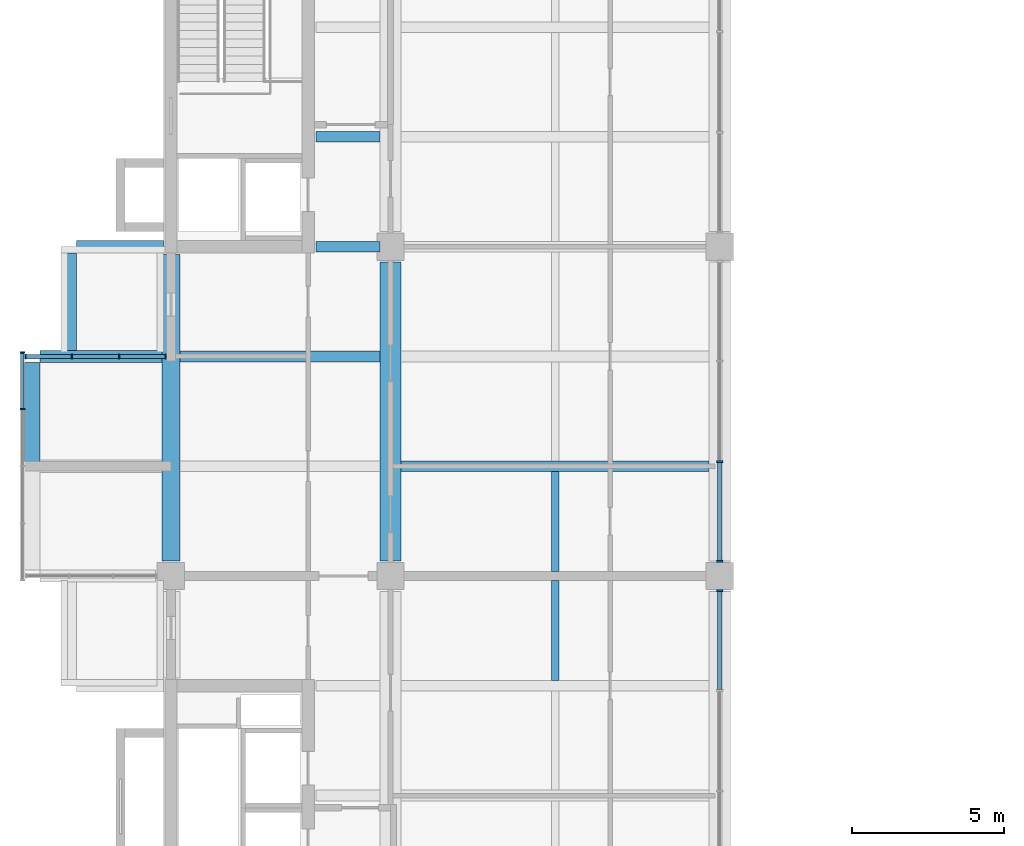
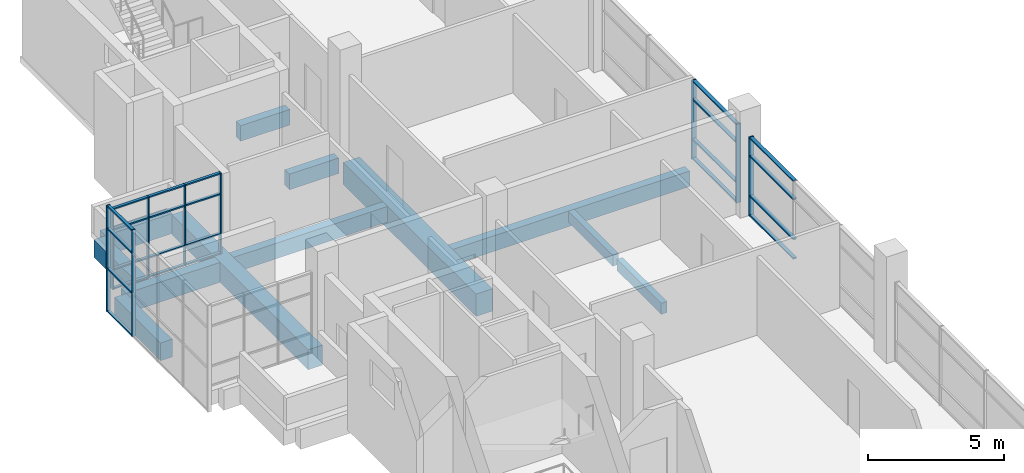
# One storey, part 12 of 32: 33 members, 12 beams, 4 elements without a shape of their own.
"""IFC4 building model written with IfcOpenShell, lengths in metres."""

from ifc_helpers import new_model, si_unit, direction, frame, origin, origin_2d, place, context, subcontext, project, spatial, rectangle, extrude, material, layer, layer_set, material_profile, profile_set, type_object, element, aggregate, save


model = new_model("IFC4")

# Units and contexts
model_context = context("Model", 3, precision=1e-05, world=origin(), true_north=direction((0.0, 1.0)))
body_context = subcontext(model_context, "Body", "Model", "MODEL_VIEW")
ifc_project = project(units=[si_unit("LENGTHUNIT", "METRE"), si_unit("AREAUNIT", "SQUARE_METRE"), si_unit("VOLUMEUNIT", "CUBIC_METRE"), si_unit("PLANEANGLEUNIT", "RADIAN"), si_unit("MASSUNIT", "GRAM", prefix="KILO")], contexts=[model_context])

# Site, building, storey
site_placement = place(None, origin())
site = spatial("IfcSite", under=ifc_project, at=site_placement, CompositionType="ELEMENT")
building_placement = place(site_placement, origin())
building = spatial("IfcBuilding", under=site, at=building_placement, Name="Basin Gate Institute", CompositionType="ELEMENT")
storey_placement = place(building_placement, frame((0.0, 0.0, 41.39990234375)))
storey = spatial("IfcBuildingStorey", under=building, at=storey_placement, Name="L08", CompositionType="ELEMENT", Elevation=41.39990234375)

# Beams
ifc_material_1 = material(Name="Concrete 40 MPa", Category="concrete")
ifc_material_profile_1 = material_profile(ifc_material_1, rectangle(XDim=0.35009765625, YDim=0.699951171875, at=origin_2d()), Name="Beam B1 350 x 700")
ifc_profile_set_1 = profile_set([ifc_material_profile_1], Name="Concrete 40 MPa")
beam_type_1 = type_object("IfcBeamType", Name="Beam B1 R120", PredefinedType="BEAM", material=ifc_profile_set_1)
beam_1_placement = place(storey_placement, frame((68.75, 81.89990234375, -0.599853515625), z_axis=(1.0, 0.0, 0.0), x_axis=(0.0, 1.0, 0.0)))
element("IfcBeam", 1, at=beam_1_placement, inside=storey, type_object=beam_type_1, material=ifc_profile_set_1, Name="BEAM/L08/W/EW/14", PredefinedType="BEAM", context=body_context, shape_type="SweptSolid", body=[
    extrude(rectangle(XDim=0.35009765625, YDim=0.699951171875, at=origin_2d()), origin(), (0.0, 0.0, 1.0), 10.10009765625),
])
beam_2_placement = place(storey_placement, frame((61.5, 85.5, -0.599853515625), z_axis=(1.0, 0.0, 0.0), x_axis=(0.0, 1.0, 0.0)))
element("IfcBeam", 2, at=beam_2_placement, inside=storey, type_object=beam_type_1, material=ifc_profile_set_1, Name="BEAM/L08/W/OUT/15", PredefinedType="BEAM", context=body_context, shape_type="SweptSolid", body=[
    extrude(rectangle(XDim=0.35009765625, YDim=0.699951171875, at=origin_2d()), origin(), (0.0, 0.0, 1.0), 6.550048828125),
])
for number, where, z_axis, x_axis, name in (
    (3, (65.949951171875, 89.10009765625, -0.599853515625), (1.0, 0.0, 0.0), (0.0, 1.0, 0.0), "BEAM/L08/W/CORR/16"),
    (4, (65.949951171875, 92.699951171875, -0.599853515625), (1.0, 0.0, 0.0), (0.0, 1.0, 0.0), "BEAM/L08/W/CORR/17"),
):
    element("IfcBeam", number, at=place(storey_placement, frame(where, z_axis=z_axis, x_axis=x_axis)), inside=storey, type_object=beam_type_1, material=ifc_profile_set_1, Name=name, PredefinedType="BEAM", context=body_context, shape_type="SweptSolid", body=[
        extrude(rectangle(XDim=0.35009765625, YDim=0.699951171875, at=origin_2d()), origin(), (0.0, 0.0, 1.0), 2.10009765625),
    ])
ifc_material_2 = material(Name="Concrete 50 MPa", Category="concrete")
ifc_material_profile_2 = material_profile(ifc_material_2, rectangle(XDim=0.39990234375, YDim=0.89990234375, at=origin_2d()), Name="Cantilever beam B3 400 x 900")
ifc_profile_set_2 = profile_set([ifc_material_profile_2], Name="Concrete 50 MPa")
beam_type_2 = type_object("IfcBeamType", Name="Cantilever beam B3 R120", PredefinedType="BEAM", material=ifc_profile_set_2)
beam_3_placement = place(storey_placement, frame((56.89990234375, 85.5, -0.699951171875), z_axis=(1.0, 0.0, 0.0), x_axis=(0.0, 1.0, 0.0)))
element("IfcBeam", 5, at=beam_3_placement, inside=storey, type_object=beam_type_2, material=ifc_profile_set_2, Name="BEAM/L08/W/CANT/15", PredefinedType="BEAM", context=body_context, shape_type="SweptSolid", body=[
    extrude(rectangle(XDim=0.39990234375, YDim=0.89990234375, at=origin_2d()), origin(), (0.0, 0.0, 1.0), 4.0),
])
beam_4_placement = place(storey_placement, frame((58.10009765625, 89.10009765625, -0.699951171875), z_axis=(1.0, 0.0, 0.0), x_axis=(0.0, 1.0, 0.0)))
element("IfcBeam", 6, at=beam_4_placement, inside=storey, type_object=beam_type_2, material=ifc_profile_set_2, Name="BEAM/L08/W/CANT/16", PredefinedType="BEAM", context=body_context, shape_type="SweptSolid", body=[
    extrude(rectangle(XDim=0.39990234375, YDim=0.89990234375, at=origin_2d()), origin(), (0.0, 0.0, 1.0), 2.849853515625),
])
ifc_material_3 = material(Name="Concrete 50 MPa", Category="concrete")
ifc_material_profile_3 = material_profile(ifc_material_3, rectangle(XDim=0.60009765625, YDim=0.89990234375, at=origin_2d()), Name="Edge beam EB1 600 x 900")
ifc_profile_set_3 = profile_set([ifc_material_profile_3], Name="Concrete 50 MPa")
beam_type_3 = type_object("IfcBeamType", Name="Edge beam EB1 R120", PredefinedType="SPANDREL", material=ifc_profile_set_3)
beam_5_placement = place(storey_placement, frame((61.199951171875, 78.800048828125, -0.699951171875), z_axis=(0.0, 1.0, 0.0), x_axis=(-1.0, 0.0, 0.0)))
element("IfcBeam", 7, at=beam_5_placement, inside=storey, type_object=beam_type_3, material=ifc_profile_set_3, Name="BEAM/L08/W/EDGE/4", PredefinedType="SPANDREL", context=body_context, shape_type="SweptSolid", body=[
    extrude(rectangle(XDim=0.60009765625, YDim=0.89990234375, at=origin_2d()), origin(), (0.0, 0.0, 1.0), 10.050048828125),
])
ifc_material_4 = material(Name="Concrete 50 MPa", Category="concrete")
ifc_material_profile_4 = material_profile(ifc_material_4, rectangle(XDim=0.699951171875, YDim=1.0, at=origin_2d()), Name="Girder G1 700 x 1000")
ifc_profile_set_4 = profile_set([ifc_material_profile_4], Name="Concrete 50 MPa")
beam_type_4 = type_object("IfcBeamType", Name="Girder G1 R120", PredefinedType="BEAM", material=ifc_profile_set_4)
beam_6_placement = place(storey_placement, frame((68.39990234375, 78.800048828125, -0.75), z_axis=(0.0, 1.0, 0.0), x_axis=(-1.0, 0.0, 0.0)))
element("IfcBeam", 8, at=beam_6_placement, inside=storey, type_object=beam_type_4, material=ifc_profile_set_4, Name="GIR/L08/W5/5", PredefinedType="BEAM", context=body_context, shape_type="SweptSolid", body=[
    extrude(rectangle(XDim=0.699951171875, YDim=1.0, at=origin_2d()), origin(), (0.0, 0.0, 1.0), 9.800048828125),
])

# Curtain wall, members
ifc_material_5 = material(Name="Aluminium-framed glazing", Category="aluminium")
ifc_layer_1 = layer(ifc_material_5, 0.14990234375)
ifc_layer_set_1 = layer_set([ifc_layer_1], Name="Capsule front curtain wall CW1")
curtain_wall_type_1 = type_object("IfcCurtainWallType", Name="Capsule front curtain wall CW1", PredefinedType="NOTDEFINED", material=ifc_layer_set_1)
curtain_wall_1_placement = place(storey_placement, origin())
curtain_wall_1 = element("IfcCurtainWall", 9, at=curtain_wall_1_placement, inside=storey, type_object=curtain_wall_type_1, material=ifc_layer_set_1, Name="Capsule front curtain wall W wing capsule end L08 line 15", PredefinedType="NOTDEFINED")
ifc_material_6 = material(Name="Aluminium", Category="aluminium")
ifc_material_profile_5 = material_profile(ifc_material_6, rectangle(XDim=0.14990234375, YDim=0.050048828125, at=origin_2d()), Name="Mullion MU1 150 x 50")
ifc_profile_set_5 = profile_set([ifc_material_profile_5], Name="Aluminium")
member_type_1 = type_object("IfcMemberType", Name="Mullion MU1", PredefinedType="MULLION", material=ifc_profile_set_5)
member_1_placement = place(storey_placement, frame((56.425048828125, 85.5, 0.0), z_axis=(0.0, 0.0, 1.0), x_axis=(0.0, 1.0, 0.0)))
member_1 = element("IfcMember", 10, at=member_1_placement, type_object=member_type_1, material=ifc_profile_set_5, Name="CW1 mullion 1", PredefinedType="MULLION", context=body_context, shape_type="SweptSolid", body=[
    extrude(rectangle(XDim=0.14990234375, YDim=0.050048828125, at=origin_2d()), origin(), (0.0, 0.0, 1.0), 3.650146484375),
])
member_2_placement = place(storey_placement, frame((57.949951171875, 85.5, 0.0), z_axis=(0.0, 0.0, 1.0), x_axis=(0.0, 1.0, 0.0)))
member_2 = element("IfcMember", 11, at=member_2_placement, type_object=member_type_1, material=ifc_profile_set_5, Name="CW1 mullion 2", PredefinedType="MULLION", context=body_context, shape_type="SweptSolid", body=[
    extrude(rectangle(XDim=0.14990234375, YDim=0.050048828125, at=origin_2d()), origin(), (0.0, 0.0, 1.0), 3.650146484375),
])
member_3_placement = place(storey_placement, frame((59.5, 85.5, 0.0), z_axis=(0.0, 0.0, 1.0), x_axis=(0.0, 1.0, 0.0)))
member_3 = element("IfcMember", 12, at=member_3_placement, type_object=member_type_1, material=ifc_profile_set_5, Name="CW1 mullion 3", PredefinedType="MULLION", context=body_context, shape_type="SweptSolid", body=[
    extrude(rectangle(XDim=0.14990234375, YDim=0.050048828125, at=origin_2d()), origin(), (0.0, 0.0, 1.0), 3.650146484375),
])
member_4_placement = place(storey_placement, frame((61.02490234375, 85.5, 0.0), z_axis=(0.0, 0.0, 1.0), x_axis=(0.0, 1.0, 0.0)))
member_4 = element("IfcMember", 13, at=member_4_placement, type_object=member_type_1, material=ifc_profile_set_5, Name="CW1 mullion 4", PredefinedType="MULLION", context=body_context, shape_type="SweptSolid", body=[
    extrude(rectangle(XDim=0.14990234375, YDim=0.050048828125, at=origin_2d()), origin(), (0.0, 0.0, 1.0), 3.650146484375),
])

curtain_wall_2_placement = place(storey_placement, origin())
curtain_wall_2 = element("IfcCurtainWall", 14, at=curtain_wall_2_placement, inside=storey, type_object=curtain_wall_type_1, material=ifc_layer_set_1, Name="Capsule front curtain wall W wing capsule 2 L08 front 2", PredefinedType="NOTDEFINED")
member_5_placement = place(storey_placement, frame((56.324951171875, 83.77490234375, -1.0498046875), z_axis=(0.0, 0.0, 1.0), x_axis=(-1.0, 0.0, 0.0)))
member_5 = element("IfcMember", 15, at=member_5_placement, type_object=member_type_1, material=ifc_profile_set_5, Name="CW1 mullion 4", PredefinedType="MULLION", context=body_context, shape_type="SweptSolid", body=[
    extrude(rectangle(XDim=0.14990234375, YDim=0.050048828125, at=origin_2d()), origin(), (0.0, 0.0, 1.0), 4.7998046875),
])
member_6_placement = place(storey_placement, frame((56.324951171875, 85.625, -1.0498046875), z_axis=(0.0, 0.0, 1.0), x_axis=(-1.0, 0.0, 0.0)))
member_6 = element("IfcMember", 16, at=member_6_placement, type_object=member_type_1, material=ifc_profile_set_5, Name="CW1 mullion 5", PredefinedType="MULLION", context=body_context, shape_type="SweptSolid", body=[
    extrude(rectangle(XDim=0.14990234375, YDim=0.050048828125, at=origin_2d()), origin(), (0.0, 0.0, 1.0), 4.7998046875),
])

# Curtain wall, member
ifc_material_7 = material(Name="Aluminium-framed glazing", Category="aluminium")
ifc_layer_2 = layer(ifc_material_7, 0.199951171875)
ifc_layer_set_2 = layer_set([ifc_layer_2], Name="Atrium curtain wall CW2")
curtain_wall_type_2 = type_object("IfcCurtainWallType", Name="Atrium curtain wall CW2", PredefinedType="NOTDEFINED", material=ifc_layer_set_2)
curtain_wall_3_placement = place(storey_placement, origin())
curtain_wall_3 = element("IfcCurtainWall", 17, at=curtain_wall_3_placement, inside=storey, type_object=curtain_wall_type_2, material=ifc_layer_set_2, Name="Atrium curtain wall W wing atrium bay 4 L08", PredefinedType="NOTDEFINED")
ifc_material_8 = material(Name="Aluminium", Category="aluminium")
ifc_material_profile_6 = material_profile(ifc_material_8, rectangle(XDim=0.199951171875, YDim=0.06005859375, at=origin_2d()), Name="Mullion MU2 200 x 60")
ifc_profile_set_6 = profile_set([ifc_material_profile_6], Name="Aluminium")
member_type_2 = type_object("IfcMemberType", Name="Mullion MU2", PredefinedType="MULLION", material=ifc_profile_set_6)
member_7_placement = place(storey_placement, frame((79.199951171875, 77.820068359375, 0.0), z_axis=(0.0, 0.0, 1.0), x_axis=(-1.0, 0.0, 0.0)))
member_7 = element("IfcMember", 18, at=member_7_placement, type_object=member_type_2, material=ifc_profile_set_6, Name="CW2 mullion 4", PredefinedType="MULLION", context=body_context, shape_type="SweptSolid", body=[
    extrude(rectangle(XDim=0.199951171875, YDim=0.06005859375, at=origin_2d()), origin(), (0.0, 0.0, 1.0), 3.550048828125),
])

# Curtain wall, members
curtain_wall_4_placement = place(storey_placement, origin())
curtain_wall_4 = element("IfcCurtainWall", 19, at=curtain_wall_4_placement, inside=storey, type_object=curtain_wall_type_2, material=ifc_layer_set_2, Name="Atrium curtain wall W wing atrium bay 5 L08", PredefinedType="NOTDEFINED")
member_8_placement = place(storey_placement, frame((79.199951171875, 78.780029296875, 0.0), z_axis=(0.0, 0.0, 1.0), x_axis=(-1.0, 0.0, 0.0)))
member_8 = element("IfcMember", 20, at=member_8_placement, type_object=member_type_2, material=ifc_profile_set_6, Name="CW2 mullion 1", PredefinedType="MULLION", context=body_context, shape_type="SweptSolid", body=[
    extrude(rectangle(XDim=0.199951171875, YDim=0.06005859375, at=origin_2d()), origin(), (0.0, 0.0, 1.0), 3.550048828125),
])
member_9_placement = place(storey_placement, frame((79.199951171875, 82.050048828125, 0.0), z_axis=(0.0, 0.0, 1.0), x_axis=(-1.0, 0.0, 0.0)))
member_9 = element("IfcMember", 21, at=member_9_placement, type_object=member_type_2, material=ifc_profile_set_6, Name="CW2 mullion 2", PredefinedType="MULLION", context=body_context, shape_type="SweptSolid", body=[
    extrude(rectangle(XDim=0.199951171875, YDim=0.06005859375, at=origin_2d()), origin(), (0.0, 0.0, 1.0), 3.550048828125),
])

# Beams
ifc_material_9 = material(Name="Concrete 40 MPa", Category="concrete")
ifc_material_profile_7 = material_profile(ifc_material_9, rectangle(XDim=0.25, YDim=0.5, at=origin_2d()), Name="Rib R1 250 x 500")
ifc_profile_set_7 = profile_set([ifc_material_profile_7], Name="Concrete 40 MPa")
beam_type_5 = type_object("IfcBeamType", Name="Rib R1 R120", PredefinedType="JOIST", material=ifc_profile_set_7)
beam_7_placement = place(storey_placement, frame((73.800048828125, 74.875, -0.5), z_axis=(0.0, 1.0, 0.0), x_axis=(-1.0, 0.0, 0.0)))
element("IfcBeam", 22, at=beam_7_placement, inside=storey, type_object=beam_type_5, material=ifc_profile_set_7, Name="BEAM/L08/W/RIB/12", PredefinedType="JOIST", context=body_context, shape_type="SweptSolid", body=[
    extrude(rectangle(XDim=0.25, YDim=0.5, at=origin_2d()), origin(), (0.0, 0.0, 1.0), 3.27490234375),
])
beam_8_placement = place(storey_placement, frame((73.800048828125, 78.449951171875, -0.5), z_axis=(0.0, 1.0, 0.0), x_axis=(-1.0, 0.0, 0.0)))
element("IfcBeam", 23, at=beam_8_placement, inside=storey, type_object=beam_type_5, material=ifc_profile_set_7, Name="BEAM/L08/W/RIB/13", PredefinedType="JOIST", context=body_context, shape_type="SweptSolid", body=[
    extrude(rectangle(XDim=0.25, YDim=0.5, at=origin_2d()), origin(), (0.0, 0.0, 1.0), 3.275146484375),
])
ifc_material_10 = material(Name="Concrete 50 MPa", Category="concrete")
ifc_material_profile_8 = material_profile(ifc_material_10, rectangle(XDim=0.5, YDim=0.800048828125, at=origin_2d()), Name="Tip beam TB1 500 x 800")
ifc_profile_set_8 = profile_set([ifc_material_profile_8], Name="Concrete 50 MPa")
beam_type_6 = type_object("IfcBeamType", Name="Tip beam TB1 R120", PredefinedType="SPANDREL", material=ifc_profile_set_8)
beam_9_placement = place(storey_placement, frame((56.64990234375, 81.89990234375, -0.64990234375), z_axis=(0.0, 1.0, 0.0), x_axis=(-1.0, 0.0, 0.0)))
element("IfcBeam", 24, at=beam_9_placement, inside=storey, type_object=beam_type_6, material=ifc_profile_set_8, Name="BEAM/L08/W/TIP/7", PredefinedType="SPANDREL", context=body_context, shape_type="SweptSolid", body=[
    extrude(rectangle(XDim=0.5, YDim=0.800048828125, at=origin_2d()), origin(), (0.0, 0.0, 1.0), 3.400146484375),
])
beam_10_placement = place(storey_placement, frame((57.85009765625, 85.699951171875, -0.64990234375), z_axis=(0.0, 1.0, 0.0), x_axis=(-1.0, 0.0, 0.0)))
element("IfcBeam", 25, at=beam_10_placement, inside=storey, type_object=beam_type_6, material=ifc_profile_set_8, Name="BEAM/L08/W/TIP/8", PredefinedType="SPANDREL", context=body_context, shape_type="SweptSolid", body=[
    extrude(rectangle(XDim=0.5, YDim=0.800048828125, at=origin_2d()), origin(), (0.0, 0.0, 1.0), 3.199951171875),
])

# Member
ifc_material_11 = material(Name="Aluminium", Category="aluminium")
ifc_material_profile_9 = material_profile(ifc_material_11, rectangle(XDim=0.1201171875, YDim=0.06005859375, at=origin_2d()), Name="Transom TR1 120 x 60")
ifc_profile_set_9 = profile_set([ifc_material_profile_9], Name="Aluminium")
member_type_3 = type_object("IfcMemberType", Name="Transom TR1", PredefinedType="USERDEFINED", material=ifc_profile_set_9)
member_10_placement = place(storey_placement, frame((56.449951171875, 85.5, 0.030029296875), z_axis=(1.0, 0.0, 0.0), x_axis=(0.0, 1.0, 0.0)))
member_10 = element("IfcMember", 26, at=member_10_placement, type_object=member_type_3, material=ifc_profile_set_9, Name="CW1 transom 1.1", ObjectType="TRANSOM", PredefinedType="USERDEFINED", context=body_context, shape_type="SweptSolid", body=[
    extrude(rectangle(XDim=0.1201171875, YDim=0.06005859375, at=origin_2d()), origin(), (0.0, 0.0, 1.0), 1.47509765625),
])

member_11_placement = place(storey_placement, frame((56.449951171875, 85.5, 0.900146484375), z_axis=(1.0, 0.0, 0.0), x_axis=(0.0, 1.0, 0.0)))
member_11 = element("IfcMember", 27, at=member_11_placement, type_object=member_type_3, material=ifc_profile_set_9, Name="CW1 transom 1.2", ObjectType="TRANSOM", PredefinedType="USERDEFINED", context=body_context, shape_type="SweptSolid", body=[
    extrude(rectangle(XDim=0.1201171875, YDim=0.06005859375, at=origin_2d()), origin(), (0.0, 0.0, 1.0), 1.47509765625),
])

member_12_placement = place(storey_placement, frame((56.449951171875, 85.5, 2.7001953125), z_axis=(1.0, 0.0, 0.0), x_axis=(0.0, 1.0, 0.0)))
member_12 = element("IfcMember", 28, at=member_12_placement, type_object=member_type_3, material=ifc_profile_set_9, Name="CW1 transom 1.3", ObjectType="TRANSOM", PredefinedType="USERDEFINED", context=body_context, shape_type="SweptSolid", body=[
    extrude(rectangle(XDim=0.1201171875, YDim=0.06005859375, at=origin_2d()), origin(), (0.0, 0.0, 1.0), 1.47509765625),
])

member_13_placement = place(storey_placement, frame((56.449951171875, 85.5, 3.6201171875), z_axis=(1.0, 0.0, 0.0), x_axis=(0.0, 1.0, 0.0)))
member_13 = element("IfcMember", 29, at=member_13_placement, type_object=member_type_3, material=ifc_profile_set_9, Name="CW1 transom 1.4", ObjectType="TRANSOM", PredefinedType="USERDEFINED", context=body_context, shape_type="SweptSolid", body=[
    extrude(rectangle(XDim=0.1201171875, YDim=0.06005859375, at=origin_2d()), origin(), (0.0, 0.0, 1.0), 1.47509765625),
])

member_14_placement = place(storey_placement, frame((57.97509765625, 85.5, 0.030029296875), z_axis=(1.0, 0.0, 0.0), x_axis=(0.0, 1.0, 0.0)))
member_14 = element("IfcMember", 30, at=member_14_placement, type_object=member_type_3, material=ifc_profile_set_9, Name="CW1 transom 2.1", ObjectType="TRANSOM", PredefinedType="USERDEFINED", context=body_context, shape_type="SweptSolid", body=[
    extrude(rectangle(XDim=0.1201171875, YDim=0.06005859375, at=origin_2d()), origin(), (0.0, 0.0, 1.0), 1.5),
])

member_15_placement = place(storey_placement, frame((57.97509765625, 85.5, 0.900146484375), z_axis=(1.0, 0.0, 0.0), x_axis=(0.0, 1.0, 0.0)))
member_15 = element("IfcMember", 31, at=member_15_placement, type_object=member_type_3, material=ifc_profile_set_9, Name="CW1 transom 2.2", ObjectType="TRANSOM", PredefinedType="USERDEFINED", context=body_context, shape_type="SweptSolid", body=[
    extrude(rectangle(XDim=0.1201171875, YDim=0.06005859375, at=origin_2d()), origin(), (0.0, 0.0, 1.0), 1.5),
])

member_16_placement = place(storey_placement, frame((57.97509765625, 85.5, 2.7001953125), z_axis=(1.0, 0.0, 0.0), x_axis=(0.0, 1.0, 0.0)))
member_16 = element("IfcMember", 32, at=member_16_placement, type_object=member_type_3, material=ifc_profile_set_9, Name="CW1 transom 2.3", ObjectType="TRANSOM", PredefinedType="USERDEFINED", context=body_context, shape_type="SweptSolid", body=[
    extrude(rectangle(XDim=0.1201171875, YDim=0.06005859375, at=origin_2d()), origin(), (0.0, 0.0, 1.0), 1.5),
])

member_17_placement = place(storey_placement, frame((57.97509765625, 85.5, 3.6201171875), z_axis=(1.0, 0.0, 0.0), x_axis=(0.0, 1.0, 0.0)))
member_17 = element("IfcMember", 33, at=member_17_placement, type_object=member_type_3, material=ifc_profile_set_9, Name="CW1 transom 2.4", ObjectType="TRANSOM", PredefinedType="USERDEFINED", context=body_context, shape_type="SweptSolid", body=[
    extrude(rectangle(XDim=0.1201171875, YDim=0.06005859375, at=origin_2d()), origin(), (0.0, 0.0, 1.0), 1.5),
])

member_18_placement = place(storey_placement, frame((59.52490234375, 85.5, 0.030029296875), z_axis=(1.0, 0.0, 0.0), x_axis=(0.0, 1.0, 0.0)))
member_18 = element("IfcMember", 34, at=member_18_placement, type_object=member_type_3, material=ifc_profile_set_9, Name="CW1 transom 3.1", ObjectType="TRANSOM", PredefinedType="USERDEFINED", context=body_context, shape_type="SweptSolid", body=[
    extrude(rectangle(XDim=0.1201171875, YDim=0.06005859375, at=origin_2d()), origin(), (0.0, 0.0, 1.0), 1.47509765625),
])

member_19_placement = place(storey_placement, frame((59.52490234375, 85.5, 0.900146484375), z_axis=(1.0, 0.0, 0.0), x_axis=(0.0, 1.0, 0.0)))
member_19 = element("IfcMember", 35, at=member_19_placement, type_object=member_type_3, material=ifc_profile_set_9, Name="CW1 transom 3.2", ObjectType="TRANSOM", PredefinedType="USERDEFINED", context=body_context, shape_type="SweptSolid", body=[
    extrude(rectangle(XDim=0.1201171875, YDim=0.06005859375, at=origin_2d()), origin(), (0.0, 0.0, 1.0), 1.47509765625),
])

member_20_placement = place(storey_placement, frame((59.52490234375, 85.5, 2.7001953125), z_axis=(1.0, 0.0, 0.0), x_axis=(0.0, 1.0, 0.0)))
member_20 = element("IfcMember", 36, at=member_20_placement, type_object=member_type_3, material=ifc_profile_set_9, Name="CW1 transom 3.3", ObjectType="TRANSOM", PredefinedType="USERDEFINED", context=body_context, shape_type="SweptSolid", body=[
    extrude(rectangle(XDim=0.1201171875, YDim=0.06005859375, at=origin_2d()), origin(), (0.0, 0.0, 1.0), 1.47509765625),
])

member_21_placement = place(storey_placement, frame((59.52490234375, 85.5, 3.6201171875), z_axis=(1.0, 0.0, 0.0), x_axis=(0.0, 1.0, 0.0)))
member_21 = element("IfcMember", 37, at=member_21_placement, type_object=member_type_3, material=ifc_profile_set_9, Name="CW1 transom 3.4", ObjectType="TRANSOM", PredefinedType="USERDEFINED", context=body_context, shape_type="SweptSolid", body=[
    extrude(rectangle(XDim=0.1201171875, YDim=0.06005859375, at=origin_2d()), origin(), (0.0, 0.0, 1.0), 1.47509765625),
])

aggregate(curtain_wall_1, [member_1, member_2, member_3, member_4, member_10, member_11, member_12, member_13, member_14, member_15, member_16, member_17, member_18, member_19, member_20, member_21])

member_22_placement = place(storey_placement, frame((56.324951171875, 83.800048828125, -1.02001953125), z_axis=(0.0, 1.0, 0.0), x_axis=(-1.0, 0.0, 0.0)))
member_22 = element("IfcMember", 38, at=member_22_placement, type_object=member_type_3, material=ifc_profile_set_9, Name="CW1 transom 4.1", ObjectType="TRANSOM", PredefinedType="USERDEFINED", context=body_context, shape_type="SweptSolid", body=[
    extrude(rectangle(XDim=0.1201171875, YDim=0.06005859375, at=origin_2d()), origin(), (0.0, 0.0, 1.0), 1.800048828125),
])

member_23_placement = place(storey_placement, frame((56.324951171875, 83.800048828125, 0.900146484375), z_axis=(0.0, 1.0, 0.0), x_axis=(-1.0, 0.0, 0.0)))
member_23 = element("IfcMember", 39, at=member_23_placement, type_object=member_type_3, material=ifc_profile_set_9, Name="CW1 transom 4.2", ObjectType="TRANSOM", PredefinedType="USERDEFINED", context=body_context, shape_type="SweptSolid", body=[
    extrude(rectangle(XDim=0.1201171875, YDim=0.06005859375, at=origin_2d()), origin(), (0.0, 0.0, 1.0), 1.800048828125),
])

member_24_placement = place(storey_placement, frame((56.324951171875, 83.800048828125, 2.7001953125), z_axis=(0.0, 1.0, 0.0), x_axis=(-1.0, 0.0, 0.0)))
member_24 = element("IfcMember", 40, at=member_24_placement, type_object=member_type_3, material=ifc_profile_set_9, Name="CW1 transom 4.3", ObjectType="TRANSOM", PredefinedType="USERDEFINED", context=body_context, shape_type="SweptSolid", body=[
    extrude(rectangle(XDim=0.1201171875, YDim=0.06005859375, at=origin_2d()), origin(), (0.0, 0.0, 1.0), 1.800048828125),
])

member_25_placement = place(storey_placement, frame((56.324951171875, 83.800048828125, 3.72021484375), z_axis=(0.0, 1.0, 0.0), x_axis=(-1.0, 0.0, 0.0)))
member_25 = element("IfcMember", 41, at=member_25_placement, type_object=member_type_3, material=ifc_profile_set_9, Name="CW1 transom 4.4", ObjectType="TRANSOM", PredefinedType="USERDEFINED", context=body_context, shape_type="SweptSolid", body=[
    extrude(rectangle(XDim=0.1201171875, YDim=0.06005859375, at=origin_2d()), origin(), (0.0, 0.0, 1.0), 1.800048828125),
])

aggregate(curtain_wall_2, [member_5, member_6, member_22, member_23, member_24, member_25])

ifc_material_12 = material(Name="Aluminium", Category="aluminium")
ifc_material_profile_10 = material_profile(ifc_material_12, rectangle(XDim=0.14990234375, YDim=0.06005859375, at=origin_2d()), Name="Transom TR2 150 x 60")
ifc_profile_set_10 = profile_set([ifc_material_profile_10], Name="Aluminium")
member_type_4 = type_object("IfcMemberType", Name="Transom TR2", PredefinedType="USERDEFINED", material=ifc_profile_set_10)
member_26_placement = place(storey_placement, frame((79.199951171875, 74.580078125, 0.030029296875), z_axis=(0.0, 1.0, 0.0), x_axis=(-1.0, 0.0, 0.0)))
member_26 = element("IfcMember", 42, at=member_26_placement, type_object=member_type_4, material=ifc_profile_set_10, Name="CW2 transom 3.1", ObjectType="TRANSOM", PredefinedType="USERDEFINED", context=body_context, shape_type="SweptSolid", body=[
    extrude(rectangle(XDim=0.14990234375, YDim=0.06005859375, at=origin_2d()), origin(), (0.0, 0.0, 1.0), 3.2099609375),
])

member_27_placement = place(storey_placement, frame((79.199951171875, 74.580078125, 0.900146484375), z_axis=(0.0, 1.0, 0.0), x_axis=(-1.0, 0.0, 0.0)))
member_27 = element("IfcMember", 43, at=member_27_placement, type_object=member_type_4, material=ifc_profile_set_10, Name="CW2 transom 3.2", ObjectType="TRANSOM", PredefinedType="USERDEFINED", context=body_context, shape_type="SweptSolid", body=[
    extrude(rectangle(XDim=0.14990234375, YDim=0.06005859375, at=origin_2d()), origin(), (0.0, 0.0, 1.0), 3.2099609375),
])

member_28_placement = place(storey_placement, frame((79.199951171875, 74.580078125, 2.7001953125), z_axis=(0.0, 1.0, 0.0), x_axis=(-1.0, 0.0, 0.0)))
member_28 = element("IfcMember", 44, at=member_28_placement, type_object=member_type_4, material=ifc_profile_set_10, Name="CW2 transom 3.3", ObjectType="TRANSOM", PredefinedType="USERDEFINED", context=body_context, shape_type="SweptSolid", body=[
    extrude(rectangle(XDim=0.14990234375, YDim=0.06005859375, at=origin_2d()), origin(), (0.0, 0.0, 1.0), 3.2099609375),
])

member_29_placement = place(storey_placement, frame((79.199951171875, 74.580078125, 3.52001953125), z_axis=(0.0, 1.0, 0.0), x_axis=(-1.0, 0.0, 0.0)))
member_29 = element("IfcMember", 45, at=member_29_placement, type_object=member_type_4, material=ifc_profile_set_10, Name="CW2 transom 3.4", ObjectType="TRANSOM", PredefinedType="USERDEFINED", context=body_context, shape_type="SweptSolid", body=[
    extrude(rectangle(XDim=0.14990234375, YDim=0.06005859375, at=origin_2d()), origin(), (0.0, 0.0, 1.0), 3.2099609375),
])

aggregate(curtain_wall_3, [member_7, member_26, member_27, member_28, member_29])

member_30_placement = place(storey_placement, frame((79.199951171875, 78.81005859375, 0.030029296875), z_axis=(0.0, 1.0, 0.0), x_axis=(-1.0, 0.0, 0.0)))
member_30 = element("IfcMember", 46, at=member_30_placement, type_object=member_type_4, material=ifc_profile_set_10, Name="CW2 transom 1.1", ObjectType="TRANSOM", PredefinedType="USERDEFINED", context=body_context, shape_type="SweptSolid", body=[
    extrude(rectangle(XDim=0.14990234375, YDim=0.06005859375, at=origin_2d()), origin(), (0.0, 0.0, 1.0), 3.2099609375),
])

member_31_placement = place(storey_placement, frame((79.199951171875, 78.81005859375, 0.900146484375), z_axis=(0.0, 1.0, 0.0), x_axis=(-1.0, 0.0, 0.0)))
member_31 = element("IfcMember", 47, at=member_31_placement, type_object=member_type_4, material=ifc_profile_set_10, Name="CW2 transom 1.2", ObjectType="TRANSOM", PredefinedType="USERDEFINED", context=body_context, shape_type="SweptSolid", body=[
    extrude(rectangle(XDim=0.14990234375, YDim=0.06005859375, at=origin_2d()), origin(), (0.0, 0.0, 1.0), 3.2099609375),
])

member_32_placement = place(storey_placement, frame((79.199951171875, 78.81005859375, 2.7001953125), z_axis=(0.0, 1.0, 0.0), x_axis=(-1.0, 0.0, 0.0)))
member_32 = element("IfcMember", 48, at=member_32_placement, type_object=member_type_4, material=ifc_profile_set_10, Name="CW2 transom 1.3", ObjectType="TRANSOM", PredefinedType="USERDEFINED", context=body_context, shape_type="SweptSolid", body=[
    extrude(rectangle(XDim=0.14990234375, YDim=0.06005859375, at=origin_2d()), origin(), (0.0, 0.0, 1.0), 3.2099609375),
])

member_33_placement = place(storey_placement, frame((79.199951171875, 78.81005859375, 3.52001953125), z_axis=(0.0, 1.0, 0.0), x_axis=(-1.0, 0.0, 0.0)))
member_33 = element("IfcMember", 49, at=member_33_placement, type_object=member_type_4, material=ifc_profile_set_10, Name="CW2 transom 1.4", ObjectType="TRANSOM", PredefinedType="USERDEFINED", context=body_context, shape_type="SweptSolid", body=[
    extrude(rectangle(XDim=0.14990234375, YDim=0.06005859375, at=origin_2d()), origin(), (0.0, 0.0, 1.0), 3.2099609375),
])

aggregate(curtain_wall_4, [member_8, member_9, member_30, member_31, member_32, member_33])

save(model, "model.ifc")
